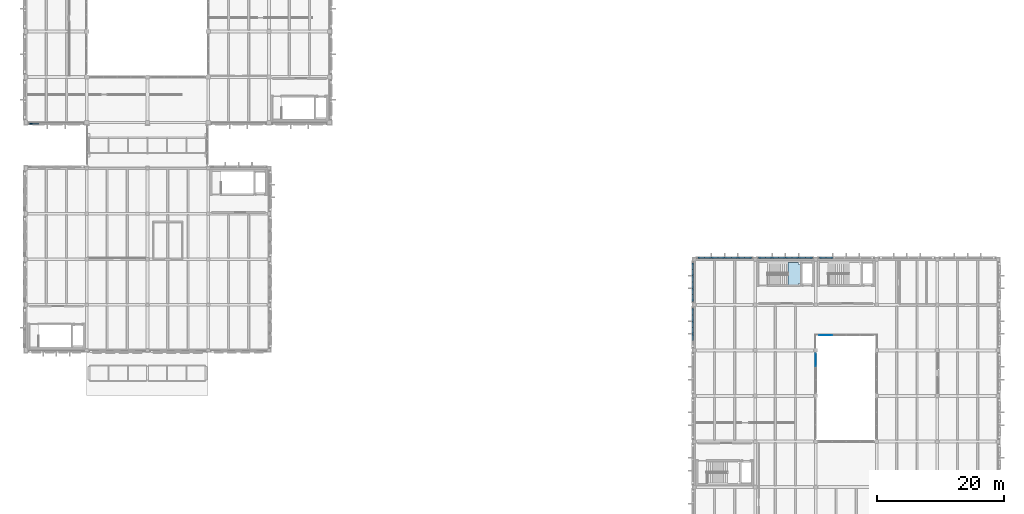
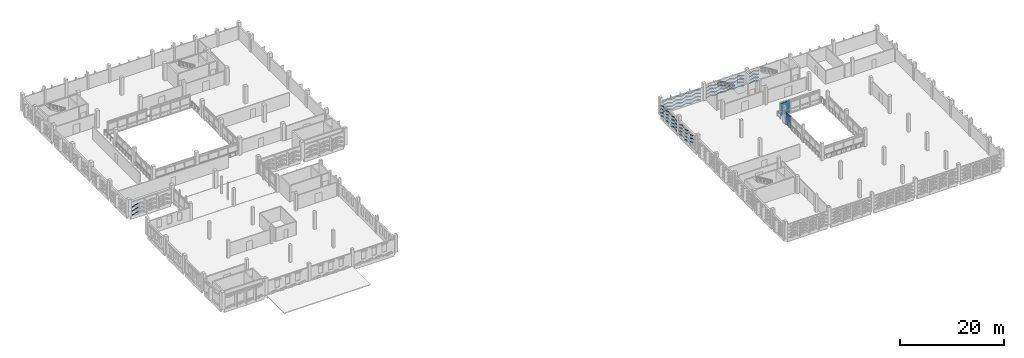
# One storey, part 37 of 72: 124 plates, 1 slab, 3 elements without a shape of their own.
"""IFC4 building model written with IfcOpenShell, lengths in metres."""

from ifc_helpers import new_model, si_unit, direction, frame, origin, origin_2d, place, context, subcontext, project, spatial, polyline, rectangle, hollow_rectangle, outline, extrude, material, layer, layer_set, material_profile, profile_set, type_object, element, aggregate, save


model = new_model("IFC4")

# Units and contexts
model_context = context("Model", 3, precision=1e-05, world=origin(), true_north=direction((0.0, 1.0)))
body_context = subcontext(model_context, "Body", "Model", "MODEL_VIEW")
ifc_project = project(units=[si_unit("LENGTHUNIT", "METRE"), si_unit("AREAUNIT", "SQUARE_METRE"), si_unit("VOLUMEUNIT", "CUBIC_METRE"), si_unit("PLANEANGLEUNIT", "RADIAN"), si_unit("MASSUNIT", "GRAM", prefix="KILO")], contexts=[model_context])

# Site, building, storey
site_placement = place(None, origin())
site = spatial("IfcSite", under=ifc_project, at=site_placement, CompositionType="ELEMENT")
building_placement = place(site_placement, origin())
building = spatial("IfcBuilding", under=site, at=building_placement, Name="Asteropetra Specialist Clinic", CompositionType="ELEMENT")
storey_placement = place(building_placement, frame((0.0, 0.0, 12.580078125)))
storey = spatial("IfcBuildingStorey", under=building, at=storey_placement, Name="L03", CompositionType="ELEMENT", Elevation=12.580078125)

# Plates
ifc_material_1 = material(Name="Chevron emerald aluminium 6063-T6", Category="aluminium")
ifc_material_profile = material_profile(ifc_material_1, hollow_rectangle(XDim=0.159912109375, YDim=0.159912109375, WallThickness=0.008056640625, InnerFilletRadius=0.008056640625, OuterFilletRadius=0.01611328125, at=origin_2d()), Name="SHS 160x160x8.0")
ifc_profile_set = profile_set([ifc_material_profile], Name="Chevron emerald aluminium 6063-T6")
plate_type_1 = type_object("IfcPlateType", Name="CHV-RIB-160", PredefinedType="SHEET", material=ifc_profile_set)
for number, where, z_axis, x_axis, name in (
    (1, (0.614990234375, 69.3779296875, 0.059814453125), (0.952424147199, 0.0, 0.304775727104), (0.0, 1.0, 0.0), "Chevron Facade Screen Fin CVR-1191"),
    (2, (0.614990234375, 69.3779296875, 1.02001953125), (0.952473286797, 0.0, 0.304622123191), (0.0, 1.0, 0.0), "Chevron Facade Screen Fin CVR-1193"),
    (3, (0.614990234375, 69.3779296875, 1.97998046875), (0.952473286797, 0.0, 0.304622123191), (0.0, 1.0, 0.0), "Chevron Facade Screen Fin CVR-1195"),
):
    element("IfcPlate", number, at=place(storey_placement, frame(where, z_axis=z_axis, x_axis=x_axis)), inside=storey, type_object=plate_type_1, Name=name, PredefinedType="SHEET", context=body_context, shape_type="SweptSolid", body=[
        extrude(hollow_rectangle(XDim=0.159912109375, YDim=0.159912109375, WallThickness=0.008056640625, InnerFilletRadius=0.008056640625, OuterFilletRadius=0.01611328125, at=origin_2d()), origin(), (0.0, 0.0, 1.0), 1.44189453125),
    ])
for number, where, z_axis, x_axis, name in (
    (4, (114.5849609375, 48.219482421875, 0.0498046875), (-0.95200979945, 0.0, 0.306067544426), (0.0, -1.0, 0.0), "Chevron Facade Screen Fin CVR-2926"),
    (5, (113.5537109375, 48.219482421875, 0.38134765625), (-0.95200979945, 0.0, -0.306067544426), (0.0, -1.0, 0.0), "Chevron Facade Screen Fin CVR-2927"),
    (6, (114.5849609375, 48.219482421875, 0.81982421875), (-0.95200979945, 0.0, 0.306067544426), (0.0, -1.0, 0.0), "Chevron Facade Screen Fin CVR-2928"),
    (7, (113.5537109375, 48.219482421875, 1.1513671875), (-0.95200979945, 0.0, -0.306067544426), (0.0, -1.0, 0.0), "Chevron Facade Screen Fin CVR-2929"),
    (8, (114.5849609375, 48.219482421875, 1.619873046875), (-0.95200979945, 0.0, 0.306067544426), (0.0, -1.0, 0.0), "Chevron Facade Screen Fin CVR-2930"),
    (9, (113.5537109375, 48.219482421875, 1.951416015625), (-0.95200979945, 0.0, -0.306067544426), (0.0, -1.0, 0.0), "Chevron Facade Screen Fin CVR-2931"),
    (10, (114.5849609375, 48.219482421875, 2.39990234375), (-0.95200979945, 0.0, 0.306067544426), (0.0, -1.0, 0.0), "Chevron Facade Screen Fin CVR-2932"),
    (11, (113.5537109375, 48.219482421875, 2.7314453125), (-0.95200979945, 0.0, -0.306067544426), (0.0, -1.0, 0.0), "Chevron Facade Screen Fin CVR-2933"),
):
    element("IfcPlate", number, at=place(storey_placement, frame(where, z_axis=z_axis, x_axis=x_axis)), inside=storey, type_object=plate_type_1, Name=name, PredefinedType="SHEET", context=body_context, shape_type="SweptSolid", body=[
        extrude(hollow_rectangle(XDim=0.159912109375, YDim=0.159912109375, WallThickness=0.008056640625, InnerFilletRadius=0.008056640625, OuterFilletRadius=0.01611328125, at=origin_2d()), origin(), (0.0, 0.0, 1.0), 1.083251953125),
    ])
plate_1_placement = place(storey_placement, frame((112.482421875, 48.219482421875, 0.0498046875), z_axis=(-0.95198867955, 0.0, 0.30613322918), x_axis=(0.0, -1.0, 0.0)))
element("IfcPlate", 12, at=plate_1_placement, inside=storey, type_object=plate_type_1, Name="Chevron Facade Screen Fin CVR-2934", PredefinedType="SHEET", context=body_context, shape_type="SweptSolid", body=[
    extrude(hollow_rectangle(XDim=0.159912109375, YDim=0.159912109375, WallThickness=0.008056640625, InnerFilletRadius=0.008056640625, OuterFilletRadius=0.01611328125, at=origin_2d()), origin(), (0.0, 0.0, 1.0), 1.0830078125),
])
plate_2_placement = place(storey_placement, frame((111.451416015625, 48.219482421875, 0.38134765625), z_axis=(-0.95203090576, 0.0, -0.306001886396), x_axis=(0.0, -1.0, 0.0)))
element("IfcPlate", 13, at=plate_2_placement, inside=storey, type_object=plate_type_1, Name="Chevron Facade Screen Fin CVR-2935", PredefinedType="SHEET", context=body_context, shape_type="SweptSolid", body=[
    extrude(hollow_rectangle(XDim=0.159912109375, YDim=0.159912109375, WallThickness=0.008056640625, InnerFilletRadius=0.008056640625, OuterFilletRadius=0.01611328125, at=origin_2d()), origin(), (0.0, 0.0, 1.0), 1.08349609375),
])
plate_3_placement = place(storey_placement, frame((112.482421875, 48.219482421875, 0.81982421875), z_axis=(-0.95198867955, 0.0, 0.30613322918), x_axis=(0.0, -1.0, 0.0)))
element("IfcPlate", 14, at=plate_3_placement, inside=storey, type_object=plate_type_1, Name="Chevron Facade Screen Fin CVR-2936", PredefinedType="SHEET", context=body_context, shape_type="SweptSolid", body=[
    extrude(hollow_rectangle(XDim=0.159912109375, YDim=0.159912109375, WallThickness=0.008056640625, InnerFilletRadius=0.008056640625, OuterFilletRadius=0.01611328125, at=origin_2d()), origin(), (0.0, 0.0, 1.0), 1.0830078125),
])
plate_4_placement = place(storey_placement, frame((111.451416015625, 48.219482421875, 1.1513671875), z_axis=(-0.95203090576, 0.0, -0.306001886396), x_axis=(0.0, -1.0, 0.0)))
element("IfcPlate", 15, at=plate_4_placement, inside=storey, type_object=plate_type_1, Name="Chevron Facade Screen Fin CVR-2937", PredefinedType="SHEET", context=body_context, shape_type="SweptSolid", body=[
    extrude(hollow_rectangle(XDim=0.159912109375, YDim=0.159912109375, WallThickness=0.008056640625, InnerFilletRadius=0.008056640625, OuterFilletRadius=0.01611328125, at=origin_2d()), origin(), (0.0, 0.0, 1.0), 1.08349609375),
])
plate_5_placement = place(storey_placement, frame((112.482421875, 48.219482421875, 1.619873046875), z_axis=(-0.95198867955, 0.0, 0.30613322918), x_axis=(0.0, -1.0, 0.0)))
element("IfcPlate", 16, at=plate_5_placement, inside=storey, type_object=plate_type_1, Name="Chevron Facade Screen Fin CVR-2938", PredefinedType="SHEET", context=body_context, shape_type="SweptSolid", body=[
    extrude(hollow_rectangle(XDim=0.159912109375, YDim=0.159912109375, WallThickness=0.008056640625, InnerFilletRadius=0.008056640625, OuterFilletRadius=0.01611328125, at=origin_2d()), origin(), (0.0, 0.0, 1.0), 1.0830078125),
])
plate_6_placement = place(storey_placement, frame((111.451416015625, 48.219482421875, 1.951416015625), z_axis=(-0.95203090576, 0.0, -0.306001886396), x_axis=(0.0, -1.0, 0.0)))
element("IfcPlate", 17, at=plate_6_placement, inside=storey, type_object=plate_type_1, Name="Chevron Facade Screen Fin CVR-2939", PredefinedType="SHEET", context=body_context, shape_type="SweptSolid", body=[
    extrude(hollow_rectangle(XDim=0.159912109375, YDim=0.159912109375, WallThickness=0.008056640625, InnerFilletRadius=0.008056640625, OuterFilletRadius=0.01611328125, at=origin_2d()), origin(), (0.0, 0.0, 1.0), 1.08349609375),
])
plate_7_placement = place(storey_placement, frame((112.482421875, 48.219482421875, 2.39990234375), z_axis=(-0.95198867955, 0.0, 0.30613322918), x_axis=(0.0, -1.0, 0.0)))
element("IfcPlate", 18, at=plate_7_placement, inside=storey, type_object=plate_type_1, Name="Chevron Facade Screen Fin CVR-2940", PredefinedType="SHEET", context=body_context, shape_type="SweptSolid", body=[
    extrude(hollow_rectangle(XDim=0.159912109375, YDim=0.159912109375, WallThickness=0.008056640625, InnerFilletRadius=0.008056640625, OuterFilletRadius=0.01611328125, at=origin_2d()), origin(), (0.0, 0.0, 1.0), 1.0830078125),
])
plate_8_placement = place(storey_placement, frame((111.451416015625, 48.219482421875, 2.7314453125), z_axis=(-0.95203090576, 0.0, -0.306001886396), x_axis=(0.0, -1.0, 0.0)))
element("IfcPlate", 19, at=plate_8_placement, inside=storey, type_object=plate_type_1, Name="Chevron Facade Screen Fin CVR-2941", PredefinedType="SHEET", context=body_context, shape_type="SweptSolid", body=[
    extrude(hollow_rectangle(XDim=0.159912109375, YDim=0.159912109375, WallThickness=0.008056640625, InnerFilletRadius=0.008056640625, OuterFilletRadius=0.01611328125, at=origin_2d()), origin(), (0.0, 0.0, 1.0), 1.08349609375),
])
for number, where, z_axis, x_axis, name in (
    (20, (110.3798828125, 48.219482421875, 0.0498046875), (-0.95200979945, 0.0, 0.306067544426), (0.0, -1.0, 0.0), "Chevron Facade Screen Fin CVR-2942"),
    (21, (109.3486328125, 48.219482421875, 0.38134765625), (-0.95200979945, 0.0, -0.306067544426), (0.0, -1.0, 0.0), "Chevron Facade Screen Fin CVR-2943"),
    (22, (110.3798828125, 48.219482421875, 0.81982421875), (-0.95200979945, 0.0, 0.306067544426), (0.0, -1.0, 0.0), "Chevron Facade Screen Fin CVR-2944"),
    (23, (109.3486328125, 48.219482421875, 1.1513671875), (-0.95200979945, 0.0, -0.306067544426), (0.0, -1.0, 0.0), "Chevron Facade Screen Fin CVR-2945"),
    (24, (110.3798828125, 48.219482421875, 1.619873046875), (-0.95200979945, 0.0, 0.306067544426), (0.0, -1.0, 0.0), "Chevron Facade Screen Fin CVR-2946"),
    (25, (109.3486328125, 48.219482421875, 1.951416015625), (-0.95200979945, 0.0, -0.306067544426), (0.0, -1.0, 0.0), "Chevron Facade Screen Fin CVR-2947"),
    (26, (110.3798828125, 48.219482421875, 2.39990234375), (-0.95200979945, 0.0, 0.306067544426), (0.0, -1.0, 0.0), "Chevron Facade Screen Fin CVR-2948"),
    (27, (109.3486328125, 48.219482421875, 2.7314453125), (-0.95200979945, 0.0, -0.306067544426), (0.0, -1.0, 0.0), "Chevron Facade Screen Fin CVR-2949"),
    (28, (108.277587890625, 48.219482421875, 0.0498046875), (-0.95200979945, 0.0, 0.306067544426), (0.0, -1.0, 0.0), "Chevron Facade Screen Fin CVR-2950"),
    (29, (107.246337890625, 48.219482421875, 0.38134765625), (-0.95200979945, 0.0, -0.306067544426), (0.0, -1.0, 0.0), "Chevron Facade Screen Fin CVR-2951"),
    (30, (108.277587890625, 48.219482421875, 0.81982421875), (-0.95200979945, 0.0, 0.306067544426), (0.0, -1.0, 0.0), "Chevron Facade Screen Fin CVR-2952"),
    (31, (107.246337890625, 48.219482421875, 1.1513671875), (-0.95200979945, 0.0, -0.306067544426), (0.0, -1.0, 0.0), "Chevron Facade Screen Fin CVR-2953"),
    (32, (108.277587890625, 48.219482421875, 1.619873046875), (-0.95200979945, 0.0, 0.306067544426), (0.0, -1.0, 0.0), "Chevron Facade Screen Fin CVR-2954"),
    (33, (107.246337890625, 48.219482421875, 1.951416015625), (-0.95200979945, 0.0, -0.306067544426), (0.0, -1.0, 0.0), "Chevron Facade Screen Fin CVR-2955"),
    (34, (108.277587890625, 48.219482421875, 2.39990234375), (-0.95200979945, 0.0, 0.306067544426), (0.0, -1.0, 0.0), "Chevron Facade Screen Fin CVR-2956"),
    (35, (107.246337890625, 48.219482421875, 2.7314453125), (-0.95200979945, 0.0, -0.306067544426), (0.0, -1.0, 0.0), "Chevron Facade Screen Fin CVR-2957"),
    (36, (124.18505859375, 48.219482421875, 0.0498046875), (-0.95200979945, 0.0, 0.306067544426), (0.0, -1.0, 0.0), "Chevron Facade Screen Fin CVR-2990"),
    (37, (123.15380859375, 48.219482421875, 0.38134765625), (-0.95200979945, 0.0, -0.306067544426), (0.0, -1.0, 0.0), "Chevron Facade Screen Fin CVR-2991"),
    (38, (124.18505859375, 48.219482421875, 0.81982421875), (-0.95200979945, 0.0, 0.306067544426), (0.0, -1.0, 0.0), "Chevron Facade Screen Fin CVR-2992"),
    (39, (123.15380859375, 48.219482421875, 1.1513671875), (-0.95200979945, 0.0, -0.306067544426), (0.0, -1.0, 0.0), "Chevron Facade Screen Fin CVR-2993"),
    (40, (124.18505859375, 48.219482421875, 1.619873046875), (-0.95200979945, 0.0, 0.306067544426), (0.0, -1.0, 0.0), "Chevron Facade Screen Fin CVR-2994"),
    (41, (123.15380859375, 48.219482421875, 1.951416015625), (-0.95200979945, 0.0, -0.306067544426), (0.0, -1.0, 0.0), "Chevron Facade Screen Fin CVR-2995"),
    (42, (124.18505859375, 48.219482421875, 2.39990234375), (-0.95200979945, 0.0, 0.306067544426), (0.0, -1.0, 0.0), "Chevron Facade Screen Fin CVR-2996"),
    (43, (123.15380859375, 48.219482421875, 2.7314453125), (-0.95200979945, 0.0, -0.306067544426), (0.0, -1.0, 0.0), "Chevron Facade Screen Fin CVR-2997"),
    (44, (122.08251953125, 48.219482421875, 0.0498046875), (-0.95200979945, 0.0, 0.306067544426), (0.0, -1.0, 0.0), "Chevron Facade Screen Fin CVR-2998"),
    (45, (121.05126953125, 48.219482421875, 0.38134765625), (-0.95200979945, 0.0, -0.306067544426), (0.0, -1.0, 0.0), "Chevron Facade Screen Fin CVR-2999"),
    (46, (122.08251953125, 48.219482421875, 0.81982421875), (-0.95200979945, 0.0, 0.306067544426), (0.0, -1.0, 0.0), "Chevron Facade Screen Fin CVR-3000"),
    (47, (121.05126953125, 48.219482421875, 1.1513671875), (-0.95200979945, 0.0, -0.306067544426), (0.0, -1.0, 0.0), "Chevron Facade Screen Fin CVR-3001"),
    (48, (122.08251953125, 48.219482421875, 1.619873046875), (-0.95200979945, 0.0, 0.306067544426), (0.0, -1.0, 0.0), "Chevron Facade Screen Fin CVR-3002"),
    (49, (121.05126953125, 48.219482421875, 1.951416015625), (-0.95200979945, 0.0, -0.306067544426), (0.0, -1.0, 0.0), "Chevron Facade Screen Fin CVR-3003"),
    (50, (122.08251953125, 48.219482421875, 2.39990234375), (-0.95200979945, 0.0, 0.306067544426), (0.0, -1.0, 0.0), "Chevron Facade Screen Fin CVR-3004"),
    (51, (121.05126953125, 48.219482421875, 2.7314453125), (-0.95200979945, 0.0, -0.306067544426), (0.0, -1.0, 0.0), "Chevron Facade Screen Fin CVR-3005"),
    (52, (119.97998046875, 48.219482421875, 0.0498046875), (-0.95200979945, 0.0, 0.306067544426), (0.0, -1.0, 0.0), "Chevron Facade Screen Fin CVR-3006"),
    (53, (118.94873046875, 48.219482421875, 0.38134765625), (-0.95200979945, 0.0, -0.306067544426), (0.0, -1.0, 0.0), "Chevron Facade Screen Fin CVR-3007"),
    (54, (119.97998046875, 48.219482421875, 0.81982421875), (-0.95200979945, 0.0, 0.306067544426), (0.0, -1.0, 0.0), "Chevron Facade Screen Fin CVR-3008"),
    (55, (118.94873046875, 48.219482421875, 1.1513671875), (-0.95200979945, 0.0, -0.306067544426), (0.0, -1.0, 0.0), "Chevron Facade Screen Fin CVR-3009"),
    (56, (119.97998046875, 48.219482421875, 1.619873046875), (-0.95200979945, 0.0, 0.306067544426), (0.0, -1.0, 0.0), "Chevron Facade Screen Fin CVR-3010"),
    (57, (118.94873046875, 48.219482421875, 1.951416015625), (-0.95200979945, 0.0, -0.306067544426), (0.0, -1.0, 0.0), "Chevron Facade Screen Fin CVR-3011"),
    (58, (119.97998046875, 48.219482421875, 2.39990234375), (-0.95200979945, 0.0, 0.306067544426), (0.0, -1.0, 0.0), "Chevron Facade Screen Fin CVR-3012"),
    (59, (118.94873046875, 48.219482421875, 2.7314453125), (-0.95200979945, 0.0, -0.306067544426), (0.0, -1.0, 0.0), "Chevron Facade Screen Fin CVR-3013"),
    (60, (117.87744140625, 48.219482421875, 0.0498046875), (-0.95200979945, 0.0, 0.306067544426), (0.0, -1.0, 0.0), "Chevron Facade Screen Fin CVR-3014"),
    (61, (116.84619140625, 48.219482421875, 0.38134765625), (-0.95200979945, 0.0, -0.306067544426), (0.0, -1.0, 0.0), "Chevron Facade Screen Fin CVR-3015"),
    (62, (117.87744140625, 48.219482421875, 0.81982421875), (-0.95200979945, 0.0, 0.306067544426), (0.0, -1.0, 0.0), "Chevron Facade Screen Fin CVR-3016"),
    (63, (116.84619140625, 48.219482421875, 1.1513671875), (-0.95200979945, 0.0, -0.306067544426), (0.0, -1.0, 0.0), "Chevron Facade Screen Fin CVR-3017"),
    (64, (117.87744140625, 48.219482421875, 1.619873046875), (-0.95200979945, 0.0, 0.306067544426), (0.0, -1.0, 0.0), "Chevron Facade Screen Fin CVR-3018"),
    (65, (116.84619140625, 48.219482421875, 1.951416015625), (-0.95200979945, 0.0, -0.306067544426), (0.0, -1.0, 0.0), "Chevron Facade Screen Fin CVR-3019"),
    (66, (117.87744140625, 48.219482421875, 2.39990234375), (-0.95200979945, 0.0, 0.306067544426), (0.0, -1.0, 0.0), "Chevron Facade Screen Fin CVR-3020"),
    (67, (116.84619140625, 48.219482421875, 2.7314453125), (-0.95200979945, 0.0, -0.306067544426), (0.0, -1.0, 0.0), "Chevron Facade Screen Fin CVR-3021"),
    (68, (127.4775390625, 48.219482421875, 0.0498046875), (-0.95200979945, 0.0, 0.306067544426), (0.0, -1.0, 0.0), "Chevron Facade Screen Fin CVR-3078"),
    (69, (126.4462890625, 48.219482421875, 0.38134765625), (-0.95200979945, 0.0, -0.306067544426), (0.0, -1.0, 0.0), "Chevron Facade Screen Fin CVR-3079"),
    (70, (127.4775390625, 48.219482421875, 0.81982421875), (-0.95200979945, 0.0, 0.306067544426), (0.0, -1.0, 0.0), "Chevron Facade Screen Fin CVR-3080"),
    (71, (126.4462890625, 48.219482421875, 1.1513671875), (-0.95200979945, 0.0, -0.306067544426), (0.0, -1.0, 0.0), "Chevron Facade Screen Fin CVR-3081"),
    (72, (127.4775390625, 48.219482421875, 1.619873046875), (-0.95200979945, 0.0, 0.306067544426), (0.0, -1.0, 0.0), "Chevron Facade Screen Fin CVR-3082"),
    (73, (126.4462890625, 48.219482421875, 1.951416015625), (-0.95200979945, 0.0, -0.306067544426), (0.0, -1.0, 0.0), "Chevron Facade Screen Fin CVR-3083"),
    (74, (127.4775390625, 48.219482421875, 2.39990234375), (-0.95200979945, 0.0, 0.306067544426), (0.0, -1.0, 0.0), "Chevron Facade Screen Fin CVR-3084"),
    (75, (126.4462890625, 48.219482421875, 2.7314453125), (-0.95200979945, 0.0, -0.306067544426), (0.0, -1.0, 0.0), "Chevron Facade Screen Fin CVR-3085"),
):
    element("IfcPlate", number, at=place(storey_placement, frame(where, z_axis=z_axis, x_axis=x_axis)), inside=storey, type_object=plate_type_1, Name=name, PredefinedType="SHEET", context=body_context, shape_type="SweptSolid", body=[
        extrude(hollow_rectangle(XDim=0.159912109375, YDim=0.159912109375, WallThickness=0.008056640625, InnerFilletRadius=0.008056640625, OuterFilletRadius=0.01611328125, at=origin_2d()), origin(), (0.0, 0.0, 1.0), 1.083251953125),
    ])
for number, where, z_axis, x_axis, name in (
    (76, (105.380615234375, 40.18505859375, 0.0498046875), (0.0, -0.951922588053, 0.306338679169), (1.0, 0.0, 0.0), "Chevron Facade Screen Fin CVR-3438"),
    (77, (105.380615234375, 39.203369140625, 0.36572265625), (0.0, -0.951922588053, -0.306338679169), (1.0, 0.0, 0.0), "Chevron Facade Screen Fin CVR-3439"),
    (78, (105.380615234375, 40.18505859375, 0.81982421875), (0.0, -0.951922588053, 0.306338679169), (1.0, 0.0, 0.0), "Chevron Facade Screen Fin CVR-3440"),
    (79, (105.380615234375, 39.203369140625, 1.1357421875), (0.0, -0.951922588053, -0.306338679169), (1.0, 0.0, 0.0), "Chevron Facade Screen Fin CVR-3441"),
    (80, (105.380615234375, 40.18505859375, 1.619873046875), (0.0, -0.951922588053, 0.306338679169), (1.0, 0.0, 0.0), "Chevron Facade Screen Fin CVR-3442"),
    (81, (105.380615234375, 39.203369140625, 1.935791015625), (0.0, -0.951922588053, -0.306338679169), (1.0, 0.0, 0.0), "Chevron Facade Screen Fin CVR-3443"),
    (82, (105.380615234375, 40.18505859375, 2.39990234375), (0.0, -0.951922588053, 0.306338679169), (1.0, 0.0, 0.0), "Chevron Facade Screen Fin CVR-3444"),
    (83, (105.380615234375, 39.203369140625, 2.7158203125), (0.0, -0.951922588053, -0.306338679169), (1.0, 0.0, 0.0), "Chevron Facade Screen Fin CVR-3445"),
    (84, (105.380615234375, 38.181640625, 0.0498046875), (0.0, -0.951922588053, 0.306338679169), (1.0, 0.0, 0.0), "Chevron Facade Screen Fin CVR-3446"),
    (85, (105.380615234375, 37.199951171875, 0.36572265625), (0.0, -0.951922588053, -0.306338679169), (1.0, 0.0, 0.0), "Chevron Facade Screen Fin CVR-3447"),
    (86, (105.380615234375, 38.181640625, 0.81982421875), (0.0, -0.951922588053, 0.306338679169), (1.0, 0.0, 0.0), "Chevron Facade Screen Fin CVR-3448"),
    (87, (105.380615234375, 37.199951171875, 1.1357421875), (0.0, -0.951922588053, -0.306338679169), (1.0, 0.0, 0.0), "Chevron Facade Screen Fin CVR-3449"),
    (88, (105.380615234375, 38.181640625, 1.619873046875), (0.0, -0.951922588053, 0.306338679169), (1.0, 0.0, 0.0), "Chevron Facade Screen Fin CVR-3450"),
    (89, (105.380615234375, 37.199951171875, 1.935791015625), (0.0, -0.951922588053, -0.306338679169), (1.0, 0.0, 0.0), "Chevron Facade Screen Fin CVR-3451"),
    (90, (105.380615234375, 38.181640625, 2.39990234375), (0.0, -0.951922588053, 0.306338679169), (1.0, 0.0, 0.0), "Chevron Facade Screen Fin CVR-3452"),
    (91, (105.380615234375, 37.199951171875, 2.7158203125), (0.0, -0.951922588053, -0.306338679169), (1.0, 0.0, 0.0), "Chevron Facade Screen Fin CVR-3453"),
):
    element("IfcPlate", number, at=place(storey_placement, frame(where, z_axis=z_axis, x_axis=x_axis)), inside=storey, type_object=plate_type_1, Name=name, PredefinedType="SHEET", context=body_context, shape_type="SweptSolid", body=[
        extrude(hollow_rectangle(XDim=0.159912109375, YDim=0.159912109375, WallThickness=0.008056640625, InnerFilletRadius=0.008056640625, OuterFilletRadius=0.01611328125, at=origin_2d()), origin(), (0.0, 0.0, 1.0), 1.03125),
    ])
for number, where, z_axis, x_axis, name in (
    (92, (105.380615234375, 36.17822265625, 0.81982421875), (0.0, -0.951900364266, 0.306407729194), (1.0, 0.0, 0.0), "Chevron Facade Screen Fin CVR-3456"),
    (93, (105.380615234375, 36.17822265625, 1.619873046875), (0.0, -0.951900364266, 0.306407729194), (1.0, 0.0, 0.0), "Chevron Facade Screen Fin CVR-3458"),
    (94, (105.380615234375, 36.17822265625, 2.39990234375), (0.0, -0.951900364266, 0.306407729194), (1.0, 0.0, 0.0), "Chevron Facade Screen Fin CVR-3460"),
):
    element("IfcPlate", number, at=place(storey_placement, frame(where, z_axis=z_axis, x_axis=x_axis)), inside=storey, type_object=plate_type_1, Name=name, PredefinedType="SHEET", context=body_context, shape_type="SweptSolid", body=[
        extrude(hollow_rectangle(XDim=0.159912109375, YDim=0.159912109375, WallThickness=0.008056640625, InnerFilletRadius=0.008056640625, OuterFilletRadius=0.01611328125, at=origin_2d()), origin(), (0.0, 0.0, 1.0), 1.031005859375),
    ])
for number, where, z_axis, x_axis, name in (
    (95, (105.380615234375, 47.385009765625, 0.0498046875), (0.0, -0.951922588053, 0.306338679169), (1.0, 0.0, 0.0), "Chevron Facade Screen Fin CVR-3486"),
    (96, (105.380615234375, 46.4033203125, 0.36572265625), (0.0, -0.951922588053, -0.306338679169), (1.0, 0.0, 0.0), "Chevron Facade Screen Fin CVR-3487"),
    (97, (105.380615234375, 47.385009765625, 0.81982421875), (0.0, -0.951922588053, 0.306338679169), (1.0, 0.0, 0.0), "Chevron Facade Screen Fin CVR-3488"),
    (98, (105.380615234375, 46.4033203125, 1.1357421875), (0.0, -0.951922588053, -0.306338679169), (1.0, 0.0, 0.0), "Chevron Facade Screen Fin CVR-3489"),
    (99, (105.380615234375, 47.385009765625, 1.619873046875), (0.0, -0.951922588053, 0.306338679169), (1.0, 0.0, 0.0), "Chevron Facade Screen Fin CVR-3490"),
    (100, (105.380615234375, 46.4033203125, 1.935791015625), (0.0, -0.951922588053, -0.306338679169), (1.0, 0.0, 0.0), "Chevron Facade Screen Fin CVR-3491"),
    (101, (105.380615234375, 47.385009765625, 2.39990234375), (0.0, -0.951922588053, 0.306338679169), (1.0, 0.0, 0.0), "Chevron Facade Screen Fin CVR-3492"),
    (102, (105.380615234375, 46.4033203125, 2.7158203125), (0.0, -0.951922588053, -0.306338679169), (1.0, 0.0, 0.0), "Chevron Facade Screen Fin CVR-3493"),
    (103, (105.380615234375, 45.381591796875, 0.0498046875), (0.0, -0.951922588053, 0.306338679169), (1.0, 0.0, 0.0), "Chevron Facade Screen Fin CVR-3494"),
    (104, (105.380615234375, 44.39990234375, 0.36572265625), (0.0, -0.951922588053, -0.306338679169), (1.0, 0.0, 0.0), "Chevron Facade Screen Fin CVR-3495"),
    (105, (105.380615234375, 45.381591796875, 0.81982421875), (0.0, -0.951922588053, 0.306338679169), (1.0, 0.0, 0.0), "Chevron Facade Screen Fin CVR-3496"),
    (106, (105.380615234375, 44.39990234375, 1.1357421875), (0.0, -0.951922588053, -0.306338679169), (1.0, 0.0, 0.0), "Chevron Facade Screen Fin CVR-3497"),
    (107, (105.380615234375, 45.381591796875, 1.619873046875), (0.0, -0.951922588053, 0.306338679169), (1.0, 0.0, 0.0), "Chevron Facade Screen Fin CVR-3498"),
    (108, (105.380615234375, 44.39990234375, 1.935791015625), (0.0, -0.951922588053, -0.306338679169), (1.0, 0.0, 0.0), "Chevron Facade Screen Fin CVR-3499"),
    (109, (105.380615234375, 45.381591796875, 2.39990234375), (0.0, -0.951922588053, 0.306338679169), (1.0, 0.0, 0.0), "Chevron Facade Screen Fin CVR-3500"),
    (110, (105.380615234375, 44.39990234375, 2.7158203125), (0.0, -0.951922588053, -0.306338679169), (1.0, 0.0, 0.0), "Chevron Facade Screen Fin CVR-3501"),
    (111, (105.380615234375, 43.37841796875, 0.0498046875), (0.0, -0.951922588053, 0.306338679169), (1.0, 0.0, 0.0), "Chevron Facade Screen Fin CVR-3502"),
    (112, (105.380615234375, 42.396728515625, 0.36572265625), (0.0, -0.951922588053, -0.306338679169), (1.0, 0.0, 0.0), "Chevron Facade Screen Fin CVR-3503"),
    (113, (105.380615234375, 43.37841796875, 0.81982421875), (0.0, -0.951922588053, 0.306338679169), (1.0, 0.0, 0.0), "Chevron Facade Screen Fin CVR-3504"),
    (114, (105.380615234375, 42.396728515625, 1.1357421875), (0.0, -0.951922588053, -0.306338679169), (1.0, 0.0, 0.0), "Chevron Facade Screen Fin CVR-3505"),
    (115, (105.380615234375, 43.37841796875, 1.619873046875), (0.0, -0.951922588053, 0.306338679169), (1.0, 0.0, 0.0), "Chevron Facade Screen Fin CVR-3506"),
    (116, (105.380615234375, 42.396728515625, 1.935791015625), (0.0, -0.951922588053, -0.306338679169), (1.0, 0.0, 0.0), "Chevron Facade Screen Fin CVR-3507"),
    (117, (105.380615234375, 43.37841796875, 2.39990234375), (0.0, -0.951922588053, 0.306338679169), (1.0, 0.0, 0.0), "Chevron Facade Screen Fin CVR-3508"),
    (118, (105.380615234375, 42.396728515625, 2.7158203125), (0.0, -0.951922588053, -0.306338679169), (1.0, 0.0, 0.0), "Chevron Facade Screen Fin CVR-3509"),
):
    element("IfcPlate", number, at=place(storey_placement, frame(where, z_axis=z_axis, x_axis=x_axis)), inside=storey, type_object=plate_type_1, Name=name, PredefinedType="SHEET", context=body_context, shape_type="SweptSolid", body=[
        extrude(hollow_rectangle(XDim=0.159912109375, YDim=0.159912109375, WallThickness=0.008056640625, InnerFilletRadius=0.008056640625, OuterFilletRadius=0.01611328125, at=origin_2d()), origin(), (0.0, 0.0, 1.0), 1.03125),
    ])

# Curtain wall, plates
ifc_material_2 = material(Name="Aluminium and low-E glass", Category="aluminium")
ifc_layer_1 = layer(ifc_material_2, 0.135009765625)
ifc_layer_set_1 = layer_set([ifc_layer_1], Name="Aluminium and low-E glass")
curtain_wall_type_1 = type_object("IfcCurtainWallType", Name="CW-SYS-09", PredefinedType="USERDEFINED", material=ifc_layer_set_1)
curtain_wall_1_placement = place(storey_placement, origin())
curtain_wall_1 = element("IfcCurtainWall", 119, at=curtain_wall_1_placement, inside=storey, type_object=curtain_wall_type_1, Name="Curtain Wall CW-084", ObjectType="STICK GLAZED COLONNADE", PredefinedType="USERDEFINED")
ifc_material_3 = material(Name="Low-E double glazing", Category="glass")
ifc_layer_2 = layer(ifc_material_3, 0.028076171875)
ifc_layer_set_2 = layer_set([ifc_layer_2], Name="Low-E double glazing")
plate_type_2 = type_object("IfcPlateType", Name="CWP-GLZ-28", PredefinedType="CURTAIN_PANEL", material=ifc_layer_set_2)
plate_9_placement = place(storey_placement, frame((126.3486328125, 36.0, 0.074951171875), z_axis=(0.0, 0.0, 1.0), x_axis=(-1.0, 0.0, 0.0)))
plate_9 = element("IfcPlate", 120, at=plate_9_placement, type_object=plate_type_2, Name="CW-084 panel 4.1", PredefinedType="CURTAIN_PANEL", context=body_context, shape_type="SweptSolid", body=[
    extrude(rectangle(XDim=2.0673828125, YDim=0.028076171875, at=origin_2d()), origin(), (0.0, 0.0, 1.0), 0.78759765625),
])
plate_10_placement = place(storey_placement, frame((126.3486328125, 36.0, 0.9375), z_axis=(0.0, 0.0, 1.0), x_axis=(-1.0, 0.0, 0.0)))
plate_10 = element("IfcPlate", 121, at=plate_10_placement, type_object=plate_type_2, Name="CW-084 panel 4.2", PredefinedType="CURTAIN_PANEL", context=body_context, shape_type="SweptSolid", body=[
    extrude(rectangle(XDim=2.0673828125, YDim=0.028076171875, at=origin_2d()), origin(), (0.0, 0.0, 1.0), 1.5849609375),
])
plate_11_placement = place(storey_placement, frame((126.3486328125, 36.0, 2.59765625), z_axis=(0.0, 0.0, 1.0), x_axis=(-1.0, 0.0, 0.0)))
plate_11 = element("IfcPlate", 122, at=plate_11_placement, type_object=plate_type_2, Name="CW-084 panel 4.3", PredefinedType="CURTAIN_PANEL", context=body_context, shape_type="SweptSolid", body=[
    extrude(rectangle(XDim=2.0673828125, YDim=0.028076171875, at=origin_2d()), origin(), (0.0, 0.0, 1.0), 0.387451171875),
])
aggregate(curtain_wall_1, [plate_9, plate_10, plate_11])

ifc_material_4 = material(Name="Aluminium and low-E glass", Category="aluminium")
ifc_layer_3 = layer(ifc_material_4, 0.14990234375)
ifc_layer_set_3 = layer_set([ifc_layer_3], Name="Aluminium and low-E glass")
curtain_wall_type_2 = type_object("IfcCurtainWallType", Name="CW-SYS-11", PredefinedType="USERDEFINED", material=ifc_layer_set_3)
curtain_wall_2_placement = place(storey_placement, origin())
curtain_wall_2 = element("IfcCurtainWall", 123, at=curtain_wall_2_placement, inside=storey, type_object=curtain_wall_type_2, Name="Curtain Wall CW-087", ObjectType="STICK GLAZED COLONNADE", PredefinedType="USERDEFINED")
ifc_material_5 = material(Name="Laminated skylight glazing", Category="glass")
ifc_layer_4 = layer(ifc_material_5, 0.0400390625)
ifc_layer_set_4 = layer_set([ifc_layer_4], Name="Laminated skylight glazing")
plate_type_3 = type_object("IfcPlateType", Name="CWP-GLZ-40", PredefinedType="CURTAIN_PANEL", material=ifc_layer_set_4)
plate_12_placement = place(storey_placement, frame((124.800048828125, 32.09130859375, 0.074951171875), z_axis=(0.0, 0.0, 1.0), x_axis=(0.0, -1.0, 0.0)))
plate_12 = element("IfcPlate", 124, at=plate_12_placement, type_object=plate_type_3, Name="CW-087 panel 1.1", PredefinedType="CURTAIN_PANEL", context=body_context, shape_type="SweptSolid", body=[
    extrude(rectangle(XDim=1.99755859375, YDim=0.0400390625, at=origin_2d()), origin(), (0.0, 0.0, 1.0), 0.78759765625),
])
plate_13_placement = place(storey_placement, frame((124.800048828125, 32.09130859375, 0.9375), z_axis=(0.0, 0.0, 1.0), x_axis=(0.0, -1.0, 0.0)))
plate_13 = element("IfcPlate", 125, at=plate_13_placement, type_object=plate_type_3, Name="CW-087 panel 1.2", PredefinedType="CURTAIN_PANEL", context=body_context, shape_type="SweptSolid", body=[
    extrude(rectangle(XDim=1.99755859375, YDim=0.0400390625, at=origin_2d()), origin(), (0.0, 0.0, 1.0), 1.5849609375),
])
plate_14_placement = place(storey_placement, frame((124.800048828125, 32.09130859375, 2.59765625), z_axis=(0.0, 0.0, 1.0), x_axis=(0.0, -1.0, 0.0)))
plate_14 = element("IfcPlate", 126, at=plate_14_placement, type_object=plate_type_3, Name="CW-087 panel 1.3", PredefinedType="CURTAIN_PANEL", context=body_context, shape_type="SweptSolid", body=[
    extrude(rectangle(XDim=1.99755859375, YDim=0.0400390625, at=origin_2d()), origin(), (0.0, 0.0, 1.0), 0.387451171875),
])
aggregate(curtain_wall_2, [plate_12, plate_13, plate_14])

# Stair, slab
ifc_material_6 = material(Name="Concrete C35/45", Category="concrete")
stair_type = type_object("IfcStairType", Name="STR-DOG-155", PredefinedType="TWO_STRAIGHT_RUN_STAIR", material=ifc_material_6)
stair_placement = place(storey_placement, origin())
stair = element("IfcStair", 127, at=stair_placement, inside=storey, type_object=stair_type, Name="Type I Stair ST10-L03", PredefinedType="TWO_STRAIGHT_RUN_STAIR")
ifc_material_7 = material(Name="Concrete C35/45", Category="concrete")
ifc_layer_5 = layer(ifc_material_7, 0.199951171875)
ifc_layer_set_5 = layer_set([ifc_layer_5], Name="Concrete C35/45")
slab_type = type_object("IfcSlabType", Name="SLB-LND-200", PredefinedType="LANDING", material=ifc_layer_set_5)
slab_placement = place(storey_placement, frame((0.0, 0.0, 1.83984375)))
slab = element("IfcSlab", 128, at=slab_placement, type_object=slab_type, Name="ST10-L03 landing 1", PredefinedType="LANDING", context=body_context, shape_type="SweptSolid", body=[
    extrude(outline(polyline([(120.449951171875, 43.8701171875), (122.10009765625, 43.8701171875), (122.10009765625, 44.18994140625), (122.419921875, 44.18994140625), (122.419921875, 47.18994140625), (122.10009765625, 47.18994140625), (122.10009765625, 47.510009765625), (120.449951171875, 47.510009765625), (120.449951171875, 43.8701171875)])), origin(), (0.0, 0.0, 1.0), 0.2001953125),
])
aggregate(stair, [slab])

save(model, "model.ifc")
